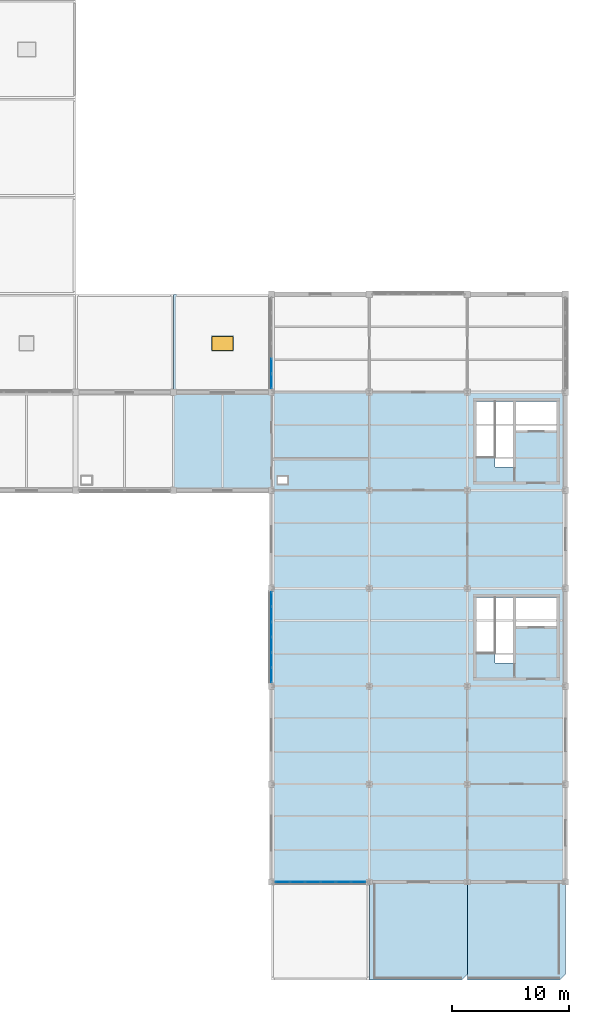
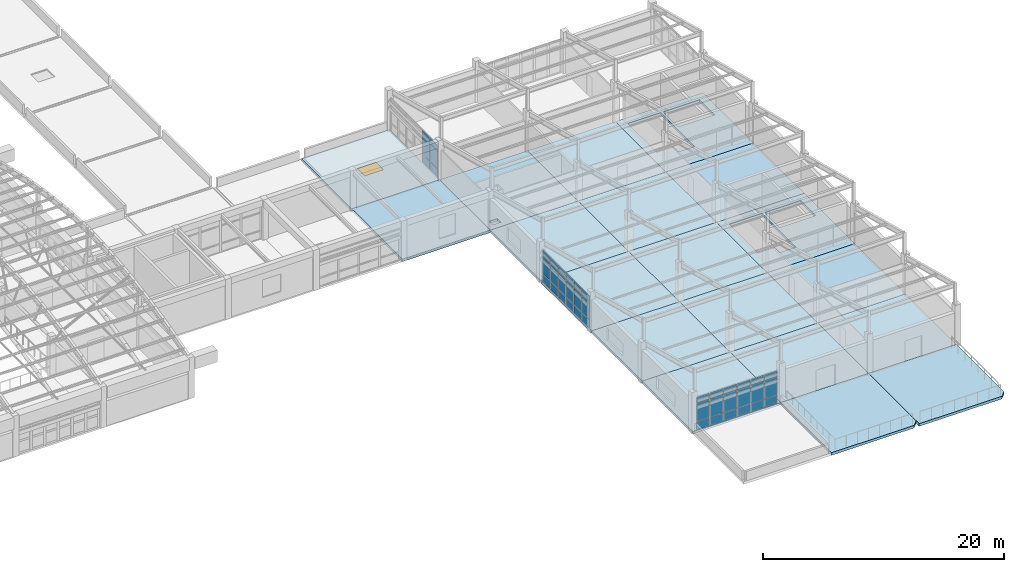
# One storey, part 57 of 74: 42 plates, 19 slabs, 1 window, 1 opening, 3 elements without a shape of their own.
"""IFC4 building model written with IfcOpenShell, lengths in metres."""

import ifcopenshell
import ifcopenshell.guid

model = None  # the IFC model being written
_history = None  # IfcOwnerHistory: only IFC2X3 demands one
_inside = {}  # id of a spatial element -> (the spatial element, [elements in it])
_under = {}  # id of a project, library or spatial element -> (it, [spatial elements below it])
_declared = {}  # id of a project -> (the project, [libraries it declares])
_typed = {}  # id of a type object -> (the type object, [elements of that type])
_made_of = {}  # id of a material, layer set ... -> (it, [elements and type objects made of it])


def new_model(schema):
    """Start an empty IFC model of exactly this schema.

    Asked for "IFC4X3", IfcOpenShell would pick the latest addendum, in which some entities
    have other attributes; the version numbers below select the first issue.
    IFC2X3 requires an IfcOwnerHistory on every rooted entity: one is made here for all.
    """
    global model, _history
    if schema == "IFC4X3":
        model = ifcopenshell.file(schema_version=(4, 3, 0, 0))
    else:
        model = ifcopenshell.file(schema=schema)
    _inside.clear()
    _under.clear()
    _declared.clear()
    _typed.clear()
    _made_of.clear()
    _history = None
    if model.schema == "IFC2X3":
        org = make("IfcOrganization", Name="unknown")
        user = make(
            "IfcPersonAndOrganization",
            ThePerson=make("IfcPerson", FamilyName="unknown"),
            TheOrganization=org,
        )
        app = make(
            "IfcApplication",
            ApplicationDeveloper=org,
            Version="unknown",
            ApplicationFullName="unknown",
            ApplicationIdentifier="unknown",
        )
        _history = make(
            "IfcOwnerHistory",
            OwningUser=user,
            OwningApplication=app,
            ChangeAction="ADDED",
            CreationDate=0,
        )
    return model


def make(cls, **values):
    """One entity of the class cls with the attributes given. An attribute that is None is left unset."""
    return model.create_entity(
        cls, **{name: value for name, value in values.items() if value is not None}
    )


def rooted(cls, **values):
    """An entity with a GlobalId (a new one), such as an element, a storey or a relation."""
    return make(cls, GlobalId=ifcopenshell.guid.new(), OwnerHistory=_history, **values)


def si_unit(unit_type, name, prefix=None):
    """IfcSIUnit, for example si_unit("LENGTHUNIT", "METRE", prefix="MILLI")."""
    return make("IfcSIUnit", UnitType=unit_type, Prefix=prefix, Name=name)


def assignment(units):
    """IfcUnitAssignment: the units of a project."""
    return None if units is None else make("IfcUnitAssignment", Units=units)


def point(xyz):
    """IfcCartesianPoint."""
    return None if xyz is None else make("IfcCartesianPoint", Coordinates=xyz)


def direction(xyz):
    """IfcDirection."""
    return None if xyz is None else make("IfcDirection", DirectionRatios=xyz)


def frame(location, z_axis=None, x_axis=None):
    """IfcAxis2Placement3D, a coordinate frame: its origin and axes. An axis left out is left unset."""
    return make(
        "IfcAxis2Placement3D",
        Location=point(location),
        Axis=direction(z_axis),
        RefDirection=direction(x_axis),
    )


def frame_2d(location, x_axis=None):
    """IfcAxis2Placement2D, a coordinate frame in the plane: its origin and x axis."""
    return make(
        "IfcAxis2Placement2D", Location=point(location), RefDirection=direction(x_axis)
    )


def origin():
    """The frame at (0, 0, 0) with its axes left unset."""
    return frame((0.0, 0.0, 0.0))


def origin_2d():
    """The frame at (0, 0) in the plane with its x axis left unset."""
    return frame_2d((0.0, 0.0))


def place(relative_to, where):
    """IfcLocalPlacement: puts the frame where relative to a parent placement (None: the world)."""
    return make(
        "IfcLocalPlacement", PlacementRelTo=relative_to, RelativePlacement=where
    )


def context(
    kind, dimensions, precision=None, world=None, true_north=None, identifier=None
):
    """IfcGeometricRepresentationContext, for example the 3D "Model" context."""
    return make(
        "IfcGeometricRepresentationContext",
        ContextIdentifier=identifier,
        ContextType=kind,
        CoordinateSpaceDimension=dimensions,
        Precision=precision,
        WorldCoordinateSystem=world,
        TrueNorth=true_north,
    )


def subcontext(parent, identifier, kind, view, scale=None):
    """IfcGeometricRepresentationSubContext, for example "Body" below "Model"."""
    return make(
        "IfcGeometricRepresentationSubContext",
        ContextIdentifier=identifier,
        ContextType=kind,
        ParentContext=parent,
        TargetScale=scale,
        TargetView=view,
    )


def project(units=None, contexts=None):
    """IfcProject with its units and contexts."""
    return rooted(
        "IfcProject",
        Name="project",
        RepresentationContexts=contexts,
        UnitsInContext=assignment(units),
    )


def spatial(cls, under=None, at=None, **own):
    """A site, building, storey or space (cls), placed at a placement, below another one or the project."""
    s = rooted(cls, ObjectPlacement=at, **own)
    if under is not None:
        _under.setdefault(under.id(), (under, []))[1].append(s)
    return s


def polyline(points):
    """IfcPolyline through the points."""
    return make("IfcPolyline", Points=[point(p) for p in points])


def profile(cls, at=None, kind="AREA", **sizes):
    """A parametric profile (cls). Its sizes go by their IFC names, for example OverallWidth=200.0."""
    return make(cls, ProfileType=kind, Position=at, **sizes)


def rectangle(**sizes):
    """IfcRectangleProfileDef."""
    return profile("IfcRectangleProfileDef", **sizes)


def outline(outer, holes=None, kind="AREA"):
    """IfcArbitraryClosedProfileDef: a profile drawn as a closed curve; with holes, ...WithVoids."""
    if holes is None:
        return make("IfcArbitraryClosedProfileDef", ProfileType=kind, OuterCurve=outer)
    return make(
        "IfcArbitraryProfileDefWithVoids",
        ProfileType=kind,
        OuterCurve=outer,
        InnerCurves=holes,
    )


def extrude(swept, where, along, depth):
    """IfcExtrudedAreaSolid: the profile swept, set in the frame where, extruded along a direction by depth."""
    return make(
        "IfcExtrudedAreaSolid",
        SweptArea=swept,
        Position=where,
        ExtrudedDirection=direction(along),
        Depth=depth,
    )


def shape(context_of_items, identifier, shape_type, items):
    """IfcShapeRepresentation: the items that make up one representation, for example the "Body"."""
    return make(
        "IfcShapeRepresentation",
        ContextOfItems=context_of_items,
        RepresentationIdentifier=identifier,
        RepresentationType=shape_type,
        Items=items,
    )


def material(Name=None, Category=None):
    """IfcMaterial."""
    return make("IfcMaterial", Name=Name, Category=Category)


def layer(
    of_material, thickness, ventilated=None, Name=None, Category=None, Priority=None
):
    """IfcMaterialLayer: one layer of a wall or slab, of a material (None: an air gap)."""
    return make(
        "IfcMaterialLayer",
        Material=of_material,
        LayerThickness=thickness,
        IsVentilated=ventilated,
        Name=Name,
        Category=Category,
        Priority=Priority,
    )


def layer_set(layers, Name=None):
    """IfcMaterialLayerSet."""
    return make("IfcMaterialLayerSet", MaterialLayers=layers, LayerSetName=Name)


def made_of(thing, what):
    """Note that an element or type object is made of a material, layer set ...; save() writes the relation."""
    if what is not None:
        _made_of.setdefault(what.id(), (what, []))[1].append(thing)
    return thing


def type_object(cls, material=None, **own):
    """A type object (cls), such as IfcWallType, which elements share."""
    return made_of(rooted(cls, **own), material)


def element(
    cls,
    number,
    at=None,
    inside=None,
    cuts=None,
    type_object=None,
    material=None,
    context=None,
    identifier="Body",
    shape_type=None,
    held_by="IfcProductDefinitionShape",
    body=None,
    shapes=None,
    **own,
):
    """One element of the class cls, such as IfcWall. Its Tag is "e" and its number.

    at: its placement. inside: the storey or other place that contains it. cuts: it is an
    opening in that element (IfcRelVoidsElement). A single representation is given by context,
    identifier, shape_type and body (its items); several are given by shapes. held_by: the class
    of the entity that holds the representations. save() writes the other relations.
    """
    e = rooted(cls, Tag="e%d" % number, ObjectPlacement=at, **own)
    if body is not None:
        shapes = [shape(context, identifier, shape_type, body)]
    if shapes is not None:
        e.Representation = make(held_by, Representations=shapes)
    if inside is not None:
        _inside.setdefault(inside.id(), (inside, []))[1].append(e)
    if cuts is not None:
        rooted(
            "IfcRelVoidsElement", RelatingBuildingElement=cuts, RelatedOpeningElement=e
        )
    if type_object is not None:
        _typed.setdefault(type_object.id(), (type_object, []))[1].append(e)
    return made_of(e, material)


def fill(opening, filler):
    """IfcRelFillsElement: the door or window that sits in an opening."""
    return rooted(
        "IfcRelFillsElement",
        RelatingOpeningElement=opening,
        RelatedBuildingElement=filler,
    )


def aggregate(whole, parts):
    """IfcRelAggregates: a whole, such as a stair, and the parts it consists of."""
    return rooted("IfcRelAggregates", RelatingObject=whole, RelatedObjects=parts)


def save(model, path):
    """Write the relations noted so far, then the file.

    IfcRelAggregates (storeys below a building ...), IfcRelContainedInSpatialStructure (elements
    in a storey), IfcRelDefinesByType, IfcRelAssociatesMaterial and IfcRelDeclares: one each for
    every whole, place, type object, material and project.
    """
    for whole, parts in _under.values():
        aggregate(whole, parts)
    for where, things in _inside.values():
        rooted(
            "IfcRelContainedInSpatialStructure",
            RelatedElements=things,
            RelatingStructure=where,
        )
    for kind, things in _typed.values():
        rooted("IfcRelDefinesByType", RelatedObjects=things, RelatingType=kind)
    for what, things in _made_of.values():
        rooted("IfcRelAssociatesMaterial", RelatedObjects=things, RelatingMaterial=what)
    for by, libraries in _declared.values():
        rooted("IfcRelDeclares", RelatingContext=by, RelatedDefinitions=libraries)
    model.write(path)


model = new_model("IFC4")

# Units and contexts
model_context = context("Model", 3, precision=1e-05, world=origin(), true_north=direction((0.0, 1.0)))
body_context = subcontext(model_context, "Body", "Model", "MODEL_VIEW")
ifc_project = project(units=[si_unit("LENGTHUNIT", "METRE"), si_unit("AREAUNIT", "SQUARE_METRE"), si_unit("VOLUMEUNIT", "CUBIC_METRE"), si_unit("PLANEANGLEUNIT", "RADIAN"), si_unit("MASSUNIT", "GRAM", prefix="KILO")], contexts=[model_context])

# Site, building, storey
site_placement = place(None, origin())
site = spatial("IfcSite", under=ifc_project, at=site_placement, CompositionType="ELEMENT")
building_placement = place(site_placement, origin())
building = spatial("IfcBuilding", under=site, at=building_placement, Name="Porcellanite Civic Hall", CompositionType="ELEMENT")
storey_placement = place(building_placement, frame((0.0, 0.0, 14.760009765625)))
storey = spatial("IfcBuildingStorey", under=building, at=storey_placement, Name="L03", CompositionType="ELEMENT", Elevation=14.760009765625)

# Curtain wall, plates
ifc_material_1 = material(Name="Anodised aluminium and solar laminated glass", Category="aluminium")
ifc_layer_1 = layer(ifc_material_1, 0.179931640625)
ifc_layer_set_1 = layer_set([ifc_layer_1], Name="Anodised aluminium and solar laminated glass")
curtain_wall_type = type_object("IfcCurtainWallType", Name="CW-SYS02", PredefinedType="NOTDEFINED", material=ifc_layer_set_1)
curtain_wall_1_placement = place(storey_placement, origin())
curtain_wall_1 = element("IfcCurtainWall", 1, at=curtain_wall_1_placement, inside=storey, type_object=curtain_wall_type, Name="Curtain wall CW-221", PredefinedType="NOTDEFINED")
ifc_material_2 = material(Name="Cyclone laminated solar-control low-E glass", Category="glass")
ifc_layer_2 = layer(ifc_material_2, 0.02587890625)
ifc_layer_set_2 = layer_set([ifc_layer_2], Name="Cyclone laminated solar-control low-E glass")
plate_type = type_object("IfcPlateType", Name="CWP-02", PredefinedType="CURTAIN_PANEL", material=ifc_layer_set_2)
plate_1_placement = place(storey_placement, frame((150.251220703125, 16.800048828125, 0.06494140625), z_axis=(0.0, 0.0, 1.0), x_axis=(-1.0, 0.0, 0.0)))
plate_1 = element("IfcPlate", 2, at=plate_1_placement, type_object=plate_type, Name="CW-221 panel 1.1", PredefinedType="CURTAIN_PANEL", context=body_context, shape_type="SweptSolid", body=[
    extrude(rectangle(XDim=1.195556640625, YDim=0.02587890625, at=origin_2d()), origin(), (0.0, 0.0, 1.0), 0.802490234375),
])
plate_2_placement = place(storey_placement, frame((150.251220703125, 16.800048828125, 0.9326171875), z_axis=(0.0, 0.0, 1.0), x_axis=(-1.0, 0.0, 0.0)))
plate_2 = element("IfcPlate", 3, at=plate_2_placement, type_object=plate_type, Name="CW-221 panel 1.2", PredefinedType="CURTAIN_PANEL", context=body_context, shape_type="SweptSolid", body=[
    extrude(rectangle(XDim=1.195556640625, YDim=0.02587890625, at=origin_2d()), origin(), (0.0, 0.0, 1.0), 1.7548828125),
])
plate_3_placement = place(storey_placement, frame((150.251220703125, 16.800048828125, 2.75244140625), z_axis=(0.0, 0.0, 1.0), x_axis=(-1.0, 0.0, 0.0)))
plate_3 = element("IfcPlate", 4, at=plate_3_placement, type_object=plate_type, Name="CW-221 panel 1.3", PredefinedType="CURTAIN_PANEL", context=body_context, shape_type="SweptSolid", body=[
    extrude(rectangle(XDim=1.195556640625, YDim=0.02587890625, at=origin_2d()), origin(), (0.0, 0.0, 1.0), 0.552490234375),
])
plate_4_placement = place(storey_placement, frame((148.9619140625, 16.800048828125, 0.06494140625), z_axis=(0.0, 0.0, 1.0), x_axis=(-1.0, 0.0, 0.0)))
plate_4 = element("IfcPlate", 5, at=plate_4_placement, type_object=plate_type, Name="CW-221 panel 2.1", PredefinedType="CURTAIN_PANEL", context=body_context, shape_type="SweptSolid", body=[
    extrude(rectangle(XDim=1.23291015625, YDim=0.02587890625, at=origin_2d()), origin(), (0.0, 0.0, 1.0), 0.802490234375),
])
plate_5_placement = place(storey_placement, frame((148.9619140625, 16.800048828125, 0.9326171875), z_axis=(0.0, 0.0, 1.0), x_axis=(-1.0, 0.0, 0.0)))
plate_5 = element("IfcPlate", 6, at=plate_5_placement, type_object=plate_type, Name="CW-221 panel 2.2", PredefinedType="CURTAIN_PANEL", context=body_context, shape_type="SweptSolid", body=[
    extrude(rectangle(XDim=1.23291015625, YDim=0.02587890625, at=origin_2d()), origin(), (0.0, 0.0, 1.0), 1.7548828125),
])
plate_6_placement = place(storey_placement, frame((148.9619140625, 16.800048828125, 2.75244140625), z_axis=(0.0, 0.0, 1.0), x_axis=(-1.0, 0.0, 0.0)))
plate_6 = element("IfcPlate", 7, at=plate_6_placement, type_object=plate_type, Name="CW-221 panel 2.3", PredefinedType="CURTAIN_PANEL", context=body_context, shape_type="SweptSolid", body=[
    extrude(rectangle(XDim=1.23291015625, YDim=0.02587890625, at=origin_2d()), origin(), (0.0, 0.0, 1.0), 0.552490234375),
])
plate_7_placement = place(storey_placement, frame((147.654052734375, 16.800048828125, 0.06494140625), z_axis=(0.0, 0.0, 1.0), x_axis=(-1.0, 0.0, 0.0)))
plate_7 = element("IfcPlate", 8, at=plate_7_placement, type_object=plate_type, Name="CW-221 panel 3.1", PredefinedType="CURTAIN_PANEL", context=body_context, shape_type="SweptSolid", body=[
    extrude(rectangle(XDim=1.23291015625, YDim=0.02587890625, at=origin_2d()), origin(), (0.0, 0.0, 1.0), 0.802490234375),
])
plate_8_placement = place(storey_placement, frame((147.654052734375, 16.800048828125, 0.9326171875), z_axis=(0.0, 0.0, 1.0), x_axis=(-1.0, 0.0, 0.0)))
plate_8 = element("IfcPlate", 9, at=plate_8_placement, type_object=plate_type, Name="CW-221 panel 3.2", PredefinedType="CURTAIN_PANEL", context=body_context, shape_type="SweptSolid", body=[
    extrude(rectangle(XDim=1.23291015625, YDim=0.02587890625, at=origin_2d()), origin(), (0.0, 0.0, 1.0), 1.7548828125),
])
plate_9_placement = place(storey_placement, frame((147.654052734375, 16.800048828125, 2.75244140625), z_axis=(0.0, 0.0, 1.0), x_axis=(-1.0, 0.0, 0.0)))
plate_9 = element("IfcPlate", 10, at=plate_9_placement, type_object=plate_type, Name="CW-221 panel 3.3", PredefinedType="CURTAIN_PANEL", context=body_context, shape_type="SweptSolid", body=[
    extrude(rectangle(XDim=1.23291015625, YDim=0.02587890625, at=origin_2d()), origin(), (0.0, 0.0, 1.0), 0.552490234375),
])
plate_10_placement = place(storey_placement, frame((146.345947265625, 16.800048828125, 0.06494140625), z_axis=(0.0, 0.0, 1.0), x_axis=(-1.0, 0.0, 0.0)))
plate_10 = element("IfcPlate", 11, at=plate_10_placement, type_object=plate_type, Name="CW-221 panel 4.1", PredefinedType="CURTAIN_PANEL", context=body_context, shape_type="SweptSolid", body=[
    extrude(rectangle(XDim=1.23291015625, YDim=0.02587890625, at=origin_2d()), origin(), (0.0, 0.0, 1.0), 0.802490234375),
])
plate_11_placement = place(storey_placement, frame((146.345947265625, 16.800048828125, 0.9326171875), z_axis=(0.0, 0.0, 1.0), x_axis=(-1.0, 0.0, 0.0)))
plate_11 = element("IfcPlate", 12, at=plate_11_placement, type_object=plate_type, Name="CW-221 panel 4.2", PredefinedType="CURTAIN_PANEL", context=body_context, shape_type="SweptSolid", body=[
    extrude(rectangle(XDim=1.23291015625, YDim=0.02587890625, at=origin_2d()), origin(), (0.0, 0.0, 1.0), 1.7548828125),
])
plate_12_placement = place(storey_placement, frame((146.345947265625, 16.800048828125, 2.75244140625), z_axis=(0.0, 0.0, 1.0), x_axis=(-1.0, 0.0, 0.0)))
plate_12 = element("IfcPlate", 13, at=plate_12_placement, type_object=plate_type, Name="CW-221 panel 4.3", PredefinedType="CURTAIN_PANEL", context=body_context, shape_type="SweptSolid", body=[
    extrude(rectangle(XDim=1.23291015625, YDim=0.02587890625, at=origin_2d()), origin(), (0.0, 0.0, 1.0), 0.552490234375),
])
plate_13_placement = place(storey_placement, frame((145.0380859375, 16.800048828125, 0.06494140625), z_axis=(0.0, 0.0, 1.0), x_axis=(-1.0, 0.0, 0.0)))
plate_13 = element("IfcPlate", 14, at=plate_13_placement, type_object=plate_type, Name="CW-221 panel 5.1", PredefinedType="CURTAIN_PANEL", context=body_context, shape_type="SweptSolid", body=[
    extrude(rectangle(XDim=1.23291015625, YDim=0.02587890625, at=origin_2d()), origin(), (0.0, 0.0, 1.0), 0.802490234375),
])
plate_14_placement = place(storey_placement, frame((145.0380859375, 16.800048828125, 0.9326171875), z_axis=(0.0, 0.0, 1.0), x_axis=(-1.0, 0.0, 0.0)))
plate_14 = element("IfcPlate", 15, at=plate_14_placement, type_object=plate_type, Name="CW-221 panel 5.2", PredefinedType="CURTAIN_PANEL", context=body_context, shape_type="SweptSolid", body=[
    extrude(rectangle(XDim=1.23291015625, YDim=0.02587890625, at=origin_2d()), origin(), (0.0, 0.0, 1.0), 1.7548828125),
])
plate_15_placement = place(storey_placement, frame((145.0380859375, 16.800048828125, 2.75244140625), z_axis=(0.0, 0.0, 1.0), x_axis=(-1.0, 0.0, 0.0)))
plate_15 = element("IfcPlate", 16, at=plate_15_placement, type_object=plate_type, Name="CW-221 panel 5.3", PredefinedType="CURTAIN_PANEL", context=body_context, shape_type="SweptSolid", body=[
    extrude(rectangle(XDim=1.23291015625, YDim=0.02587890625, at=origin_2d()), origin(), (0.0, 0.0, 1.0), 0.552490234375),
])
plate_16_placement = place(storey_placement, frame((143.748779296875, 16.800048828125, 0.06494140625), z_axis=(0.0, 0.0, 1.0), x_axis=(-1.0, 0.0, 0.0)))
plate_16 = element("IfcPlate", 17, at=plate_16_placement, type_object=plate_type, Name="CW-221 panel 6.1", PredefinedType="CURTAIN_PANEL", context=body_context, shape_type="SweptSolid", body=[
    extrude(rectangle(XDim=1.195556640625, YDim=0.02587890625, at=origin_2d()), origin(), (0.0, 0.0, 1.0), 0.802490234375),
])
plate_17_placement = place(storey_placement, frame((143.748779296875, 16.800048828125, 0.9326171875), z_axis=(0.0, 0.0, 1.0), x_axis=(-1.0, 0.0, 0.0)))
plate_17 = element("IfcPlate", 18, at=plate_17_placement, type_object=plate_type, Name="CW-221 panel 6.2", PredefinedType="CURTAIN_PANEL", context=body_context, shape_type="SweptSolid", body=[
    extrude(rectangle(XDim=1.195556640625, YDim=0.02587890625, at=origin_2d()), origin(), (0.0, 0.0, 1.0), 1.7548828125),
])
plate_18_placement = place(storey_placement, frame((143.748779296875, 16.800048828125, 2.75244140625), z_axis=(0.0, 0.0, 1.0), x_axis=(-1.0, 0.0, 0.0)))
plate_18 = element("IfcPlate", 19, at=plate_18_placement, type_object=plate_type, Name="CW-221 panel 6.3", PredefinedType="CURTAIN_PANEL", context=body_context, shape_type="SweptSolid", body=[
    extrude(rectangle(XDim=1.195556640625, YDim=0.02587890625, at=origin_2d()), origin(), (0.0, 0.0, 1.0), 0.552490234375),
])
aggregate(curtain_wall_1, [plate_1, plate_2, plate_3, plate_4, plate_5, plate_6, plate_7, plate_8, plate_9, plate_10, plate_11, plate_12, plate_13, plate_14, plate_15, plate_16, plate_17, plate_18])

curtain_wall_2_placement = place(storey_placement, origin())
curtain_wall_2 = element("IfcCurtainWall", 20, at=curtain_wall_2_placement, inside=storey, type_object=curtain_wall_type, Name="Curtain wall CW-222", PredefinedType="NOTDEFINED")
plate_19_placement = place(storey_placement, frame((142.800048828125, 34.548828125, 0.06494140625), z_axis=(0.0, 0.0, 1.0), x_axis=(0.0, 1.0, 0.0)))
plate_19 = element("IfcPlate", 21, at=plate_19_placement, type_object=plate_type, Name="CW-222 panel 1.1", PredefinedType="CURTAIN_PANEL", context=body_context, shape_type="SweptSolid", body=[
    extrude(rectangle(XDim=1.195556640625, YDim=0.02587890625, at=origin_2d()), origin(), (0.0, 0.0, 1.0), 0.802490234375),
])
plate_20_placement = place(storey_placement, frame((142.800048828125, 34.548828125, 0.9326171875), z_axis=(0.0, 0.0, 1.0), x_axis=(0.0, 1.0, 0.0)))
plate_20 = element("IfcPlate", 22, at=plate_20_placement, type_object=plate_type, Name="CW-222 panel 1.2", PredefinedType="CURTAIN_PANEL", context=body_context, shape_type="SweptSolid", body=[
    extrude(rectangle(XDim=1.195556640625, YDim=0.02587890625, at=origin_2d()), origin(), (0.0, 0.0, 1.0), 1.7548828125),
])
plate_21_placement = place(storey_placement, frame((142.800048828125, 34.548828125, 2.75244140625), z_axis=(0.0, 0.0, 1.0), x_axis=(0.0, 1.0, 0.0)))
plate_21 = element("IfcPlate", 23, at=plate_21_placement, type_object=plate_type, Name="CW-222 panel 1.3", PredefinedType="CURTAIN_PANEL", context=body_context, shape_type="SweptSolid", body=[
    extrude(rectangle(XDim=1.195556640625, YDim=0.02587890625, at=origin_2d()), origin(), (0.0, 0.0, 1.0), 0.552490234375),
])
plate_22_placement = place(storey_placement, frame((142.800048828125, 35.837890625, 0.06494140625), z_axis=(0.0, 0.0, 1.0), x_axis=(0.0, 1.0, 0.0)))
plate_22 = element("IfcPlate", 24, at=plate_22_placement, type_object=plate_type, Name="CW-222 panel 2.1", PredefinedType="CURTAIN_PANEL", context=body_context, shape_type="SweptSolid", body=[
    extrude(rectangle(XDim=1.23291015625, YDim=0.02587890625, at=origin_2d()), origin(), (0.0, 0.0, 1.0), 0.802490234375),
])
plate_23_placement = place(storey_placement, frame((142.800048828125, 35.837890625, 0.9326171875), z_axis=(0.0, 0.0, 1.0), x_axis=(0.0, 1.0, 0.0)))
plate_23 = element("IfcPlate", 25, at=plate_23_placement, type_object=plate_type, Name="CW-222 panel 2.2", PredefinedType="CURTAIN_PANEL", context=body_context, shape_type="SweptSolid", body=[
    extrude(rectangle(XDim=1.23291015625, YDim=0.02587890625, at=origin_2d()), origin(), (0.0, 0.0, 1.0), 1.7548828125),
])
plate_24_placement = place(storey_placement, frame((142.800048828125, 35.837890625, 2.75244140625), z_axis=(0.0, 0.0, 1.0), x_axis=(0.0, 1.0, 0.0)))
plate_24 = element("IfcPlate", 26, at=plate_24_placement, type_object=plate_type, Name="CW-222 panel 2.3", PredefinedType="CURTAIN_PANEL", context=body_context, shape_type="SweptSolid", body=[
    extrude(rectangle(XDim=1.23291015625, YDim=0.02587890625, at=origin_2d()), origin(), (0.0, 0.0, 1.0), 0.552490234375),
])
plate_25_placement = place(storey_placement, frame((142.800048828125, 37.14599609375, 0.06494140625), z_axis=(0.0, 0.0, 1.0), x_axis=(0.0, 1.0, 0.0)))
plate_25 = element("IfcPlate", 27, at=plate_25_placement, type_object=plate_type, Name="CW-222 panel 3.1", PredefinedType="CURTAIN_PANEL", context=body_context, shape_type="SweptSolid", body=[
    extrude(rectangle(XDim=1.23291015625, YDim=0.02587890625, at=origin_2d()), origin(), (0.0, 0.0, 1.0), 0.802490234375),
])
plate_26_placement = place(storey_placement, frame((142.800048828125, 37.14599609375, 0.9326171875), z_axis=(0.0, 0.0, 1.0), x_axis=(0.0, 1.0, 0.0)))
plate_26 = element("IfcPlate", 28, at=plate_26_placement, type_object=plate_type, Name="CW-222 panel 3.2", PredefinedType="CURTAIN_PANEL", context=body_context, shape_type="SweptSolid", body=[
    extrude(rectangle(XDim=1.23291015625, YDim=0.02587890625, at=origin_2d()), origin(), (0.0, 0.0, 1.0), 1.7548828125),
])
plate_27_placement = place(storey_placement, frame((142.800048828125, 37.14599609375, 2.75244140625), z_axis=(0.0, 0.0, 1.0), x_axis=(0.0, 1.0, 0.0)))
plate_27 = element("IfcPlate", 29, at=plate_27_placement, type_object=plate_type, Name="CW-222 panel 3.3", PredefinedType="CURTAIN_PANEL", context=body_context, shape_type="SweptSolid", body=[
    extrude(rectangle(XDim=1.23291015625, YDim=0.02587890625, at=origin_2d()), origin(), (0.0, 0.0, 1.0), 0.552490234375),
])
plate_28_placement = place(storey_placement, frame((142.800048828125, 38.4541015625, 0.06494140625), z_axis=(0.0, 0.0, 1.0), x_axis=(0.0, 1.0, 0.0)))
plate_28 = element("IfcPlate", 30, at=plate_28_placement, type_object=plate_type, Name="CW-222 panel 4.1", PredefinedType="CURTAIN_PANEL", context=body_context, shape_type="SweptSolid", body=[
    extrude(rectangle(XDim=1.23291015625, YDim=0.02587890625, at=origin_2d()), origin(), (0.0, 0.0, 1.0), 0.802490234375),
])
plate_29_placement = place(storey_placement, frame((142.800048828125, 38.4541015625, 0.9326171875), z_axis=(0.0, 0.0, 1.0), x_axis=(0.0, 1.0, 0.0)))
plate_29 = element("IfcPlate", 31, at=plate_29_placement, type_object=plate_type, Name="CW-222 panel 4.2", PredefinedType="CURTAIN_PANEL", context=body_context, shape_type="SweptSolid", body=[
    extrude(rectangle(XDim=1.23291015625, YDim=0.02587890625, at=origin_2d()), origin(), (0.0, 0.0, 1.0), 1.7548828125),
])
plate_30_placement = place(storey_placement, frame((142.800048828125, 38.4541015625, 2.75244140625), z_axis=(0.0, 0.0, 1.0), x_axis=(0.0, 1.0, 0.0)))
plate_30 = element("IfcPlate", 32, at=plate_30_placement, type_object=plate_type, Name="CW-222 panel 4.3", PredefinedType="CURTAIN_PANEL", context=body_context, shape_type="SweptSolid", body=[
    extrude(rectangle(XDim=1.23291015625, YDim=0.02587890625, at=origin_2d()), origin(), (0.0, 0.0, 1.0), 0.552490234375),
])
plate_31_placement = place(storey_placement, frame((142.800048828125, 39.761962890625, 0.06494140625), z_axis=(0.0, 0.0, 1.0), x_axis=(0.0, 1.0, 0.0)))
plate_31 = element("IfcPlate", 33, at=plate_31_placement, type_object=plate_type, Name="CW-222 panel 5.1", PredefinedType="CURTAIN_PANEL", context=body_context, shape_type="SweptSolid", body=[
    extrude(rectangle(XDim=1.23291015625, YDim=0.02587890625, at=origin_2d()), origin(), (0.0, 0.0, 1.0), 0.802490234375),
])
plate_32_placement = place(storey_placement, frame((142.800048828125, 39.761962890625, 0.9326171875), z_axis=(0.0, 0.0, 1.0), x_axis=(0.0, 1.0, 0.0)))
plate_32 = element("IfcPlate", 34, at=plate_32_placement, type_object=plate_type, Name="CW-222 panel 5.2", PredefinedType="CURTAIN_PANEL", context=body_context, shape_type="SweptSolid", body=[
    extrude(rectangle(XDim=1.23291015625, YDim=0.02587890625, at=origin_2d()), origin(), (0.0, 0.0, 1.0), 1.7548828125),
])
plate_33_placement = place(storey_placement, frame((142.800048828125, 39.761962890625, 2.75244140625), z_axis=(0.0, 0.0, 1.0), x_axis=(0.0, 1.0, 0.0)))
plate_33 = element("IfcPlate", 35, at=plate_33_placement, type_object=plate_type, Name="CW-222 panel 5.3", PredefinedType="CURTAIN_PANEL", context=body_context, shape_type="SweptSolid", body=[
    extrude(rectangle(XDim=1.23291015625, YDim=0.02587890625, at=origin_2d()), origin(), (0.0, 0.0, 1.0), 0.552490234375),
])
plate_34_placement = place(storey_placement, frame((142.800048828125, 41.05126953125, 0.06494140625), z_axis=(0.0, 0.0, 1.0), x_axis=(0.0, 1.0, 0.0)))
plate_34 = element("IfcPlate", 36, at=plate_34_placement, type_object=plate_type, Name="CW-222 panel 6.1", PredefinedType="CURTAIN_PANEL", context=body_context, shape_type="SweptSolid", body=[
    extrude(rectangle(XDim=1.195556640625, YDim=0.02587890625, at=origin_2d()), origin(), (0.0, 0.0, 1.0), 0.802490234375),
])
plate_35_placement = place(storey_placement, frame((142.800048828125, 41.05126953125, 0.9326171875), z_axis=(0.0, 0.0, 1.0), x_axis=(0.0, 1.0, 0.0)))
plate_35 = element("IfcPlate", 37, at=plate_35_placement, type_object=plate_type, Name="CW-222 panel 6.2", PredefinedType="CURTAIN_PANEL", context=body_context, shape_type="SweptSolid", body=[
    extrude(rectangle(XDim=1.195556640625, YDim=0.02587890625, at=origin_2d()), origin(), (0.0, 0.0, 1.0), 1.7548828125),
])
plate_36_placement = place(storey_placement, frame((142.800048828125, 41.05126953125, 2.75244140625), z_axis=(0.0, 0.0, 1.0), x_axis=(0.0, 1.0, 0.0)))
plate_36 = element("IfcPlate", 38, at=plate_36_placement, type_object=plate_type, Name="CW-222 panel 6.3", PredefinedType="CURTAIN_PANEL", context=body_context, shape_type="SweptSolid", body=[
    extrude(rectangle(XDim=1.195556640625, YDim=0.02587890625, at=origin_2d()), origin(), (0.0, 0.0, 1.0), 0.552490234375),
])
aggregate(curtain_wall_2, [plate_19, plate_20, plate_21, plate_22, plate_23, plate_24, plate_25, plate_26, plate_27, plate_28, plate_29, plate_30, plate_31, plate_32, plate_33, plate_34, plate_35, plate_36])

curtain_wall_3_placement = place(storey_placement, origin())
curtain_wall_3 = element("IfcCurtainWall", 39, at=curtain_wall_3_placement, inside=storey, type_object=curtain_wall_type, Name="Curtain wall CW-223", PredefinedType="NOTDEFINED")
plate_37_placement = place(storey_placement, frame((142.800048828125, 59.748779296875, 0.06494140625), z_axis=(0.0, 0.0, 1.0), x_axis=(0.0, 1.0, 0.0)))
plate_37 = element("IfcPlate", 40, at=plate_37_placement, type_object=plate_type, Name="CW-223 panel 1.1", PredefinedType="CURTAIN_PANEL", context=body_context, shape_type="SweptSolid", body=[
    extrude(rectangle(XDim=1.195556640625, YDim=0.02587890625, at=origin_2d()), origin(), (0.0, 0.0, 1.0), 0.802490234375),
])
plate_38_placement = place(storey_placement, frame((142.800048828125, 59.748779296875, 0.9326171875), z_axis=(0.0, 0.0, 1.0), x_axis=(0.0, 1.0, 0.0)))
plate_38 = element("IfcPlate", 41, at=plate_38_placement, type_object=plate_type, Name="CW-223 panel 1.2", PredefinedType="CURTAIN_PANEL", context=body_context, shape_type="SweptSolid", body=[
    extrude(rectangle(XDim=1.195556640625, YDim=0.02587890625, at=origin_2d()), origin(), (0.0, 0.0, 1.0), 1.7548828125),
])
plate_39_placement = place(storey_placement, frame((142.800048828125, 59.748779296875, 2.75244140625), z_axis=(0.0, 0.0, 1.0), x_axis=(0.0, 1.0, 0.0)))
plate_39 = element("IfcPlate", 42, at=plate_39_placement, type_object=plate_type, Name="CW-223 panel 1.3", PredefinedType="CURTAIN_PANEL", context=body_context, shape_type="SweptSolid", body=[
    extrude(rectangle(XDim=1.195556640625, YDim=0.02587890625, at=origin_2d()), origin(), (0.0, 0.0, 1.0), 0.552490234375),
])
plate_40_placement = place(storey_placement, frame((142.800048828125, 61.0380859375, 0.06494140625), z_axis=(0.0, 0.0, 1.0), x_axis=(0.0, 1.0, 0.0)))
plate_40 = element("IfcPlate", 43, at=plate_40_placement, type_object=plate_type, Name="CW-223 panel 2.1", PredefinedType="CURTAIN_PANEL", context=body_context, shape_type="SweptSolid", body=[
    extrude(rectangle(XDim=1.23291015625, YDim=0.02587890625, at=origin_2d()), origin(), (0.0, 0.0, 1.0), 0.802490234375),
])
plate_41_placement = place(storey_placement, frame((142.800048828125, 61.0380859375, 0.9326171875), z_axis=(0.0, 0.0, 1.0), x_axis=(0.0, 1.0, 0.0)))
plate_41 = element("IfcPlate", 44, at=plate_41_placement, type_object=plate_type, Name="CW-223 panel 2.2", PredefinedType="CURTAIN_PANEL", context=body_context, shape_type="SweptSolid", body=[
    extrude(rectangle(XDim=1.23291015625, YDim=0.02587890625, at=origin_2d()), origin(), (0.0, 0.0, 1.0), 1.7548828125),
])
plate_42_placement = place(storey_placement, frame((142.800048828125, 61.0380859375, 2.75244140625), z_axis=(0.0, 0.0, 1.0), x_axis=(0.0, 1.0, 0.0)))
plate_42 = element("IfcPlate", 45, at=plate_42_placement, type_object=plate_type, Name="CW-223 panel 2.3", PredefinedType="CURTAIN_PANEL", context=body_context, shape_type="SweptSolid", body=[
    extrude(rectangle(XDim=1.23291015625, YDim=0.02587890625, at=origin_2d()), origin(), (0.0, 0.0, 1.0), 0.552490234375),
])
aggregate(curtain_wall_3, [plate_37, plate_38, plate_39, plate_40, plate_41, plate_42])

# Slabs
ifc_material_3 = material(Name="Concrete N40 (40 MPa)", Category="concrete")
ifc_layer_3 = layer(ifc_material_3, 0.25)
ifc_layer_set_3 = layer_set([ifc_layer_3], Name="Concrete N40 (40 MPa)")
slab_type_1 = type_object("IfcSlabType", Name="SL-FL250", PredefinedType="FLOOR", material=ifc_layer_set_3)
slab_1_placement = place(storey_placement, frame((0.0, 0.0, -0.25)))
element("IfcSlab", 46, at=slab_1_placement, inside=storey, type_object=slab_type_1, Name="Slab L03 bay 17-7", PredefinedType="FLOOR", context=body_context, shape_type="SweptSolid", body=[
    extrude(outline(polyline([(134.39990234375, 50.39990234375), (142.800048828125, 50.39990234375), (142.800048828125, 58.800048828125), (134.39990234375, 58.800048828125), (134.39990234375, 50.39990234375)])), origin(), (0.0, 0.0, 1.0), 0.25),
])
slab_2_placement = place(storey_placement, frame((0.0, 0.0, -0.25)))
element("IfcSlab", 47, at=slab_2_placement, inside=storey, type_object=slab_type_1, Name="Slab L03 bay 18-3", PredefinedType="FLOOR", context=body_context, shape_type="SweptSolid", body=[
    extrude(outline(polyline([(142.800048828125, 16.800048828125), (151.199951171875, 16.800048828125), (151.199951171875, 25.199951171875), (142.800048828125, 25.199951171875), (142.800048828125, 16.800048828125)])), origin(), (0.0, 0.0, 1.0), 0.25),
])
slab_3_placement = place(storey_placement, frame((0.0, 0.0, -0.25)))
element("IfcSlab", 48, at=slab_3_placement, inside=storey, type_object=slab_type_1, Name="Slab L03 bay 18-4", PredefinedType="FLOOR", context=body_context, shape_type="SweptSolid", body=[
    extrude(outline(polyline([(142.800048828125, 25.199951171875), (151.199951171875, 25.199951171875), (151.199951171875, 33.60009765625), (142.800048828125, 33.60009765625), (142.800048828125, 25.199951171875)])), origin(), (0.0, 0.0, 1.0), 0.25),
])
slab_4_placement = place(storey_placement, frame((0.0, 0.0, -0.25)))
element("IfcSlab", 49, at=slab_4_placement, inside=storey, type_object=slab_type_1, Name="Slab L03 bay 18-6", PredefinedType="FLOOR", context=body_context, shape_type="SweptSolid", body=[
    extrude(outline(polyline([(142.800048828125, 42.0), (151.199951171875, 42.0), (151.199951171875, 50.39990234375), (142.800048828125, 50.39990234375), (142.800048828125, 42.0)])), origin(), (0.0, 0.0, 1.0), 0.25),
])
slab_5_placement = place(storey_placement, frame((0.0, 0.0, -0.25)))
element("IfcSlab", 50, at=slab_5_placement, inside=storey, type_object=slab_type_1, Name="Slab L03 bay 18-7", PredefinedType="FLOOR", context=body_context, shape_type="SweptSolid", body=[
    extrude(outline(polyline([(142.800048828125, 50.39990234375), (151.199951171875, 50.39990234375), (151.199951171875, 58.800048828125), (142.800048828125, 58.800048828125), (142.800048828125, 50.39990234375)]), holes=[polyline([(143.35009765625, 50.949951171875), (144.14990234375, 50.949951171875), (144.14990234375, 51.550048828125), (143.35009765625, 51.550048828125), (143.35009765625, 50.949951171875)])]), origin(), (0.0, 0.0, 1.0), 0.25),
])
slab_6_placement = place(storey_placement, frame((0.0, 0.0, -0.25)))
element("IfcSlab", 51, at=slab_6_placement, inside=storey, type_object=slab_type_1, Name="Slab L03 bay 19-3", PredefinedType="FLOOR", context=body_context, shape_type="SweptSolid", body=[
    extrude(outline(polyline([(151.199951171875, 16.800048828125), (159.60009765625, 16.800048828125), (159.60009765625, 25.199951171875), (151.199951171875, 25.199951171875), (151.199951171875, 16.800048828125)])), origin(), (0.0, 0.0, 1.0), 0.25),
])
slab_7_placement = place(storey_placement, frame((0.0, 0.0, -0.25)))
element("IfcSlab", 52, at=slab_7_placement, inside=storey, type_object=slab_type_1, Name="Slab L03 bay 19-5", PredefinedType="FLOOR", context=body_context, shape_type="SweptSolid", body=[
    extrude(outline(polyline([(151.199951171875, 33.60009765625), (159.60009765625, 33.60009765625), (159.60009765625, 42.0), (151.199951171875, 42.0), (151.199951171875, 33.60009765625)])), origin(), (0.0, 0.0, 1.0), 0.25),
])
slab_8_placement = place(storey_placement, frame((0.0, 0.0, -0.25)))
element("IfcSlab", 53, at=slab_8_placement, inside=storey, type_object=slab_type_1, Name="Slab L03 bay 19-6", PredefinedType="FLOOR", context=body_context, shape_type="SweptSolid", body=[
    extrude(outline(polyline([(151.199951171875, 42.0), (159.60009765625, 42.0), (159.60009765625, 50.39990234375), (151.199951171875, 50.39990234375), (151.199951171875, 42.0)])), origin(), (0.0, 0.0, 1.0), 0.25),
])
slab_9_placement = place(storey_placement, frame((0.0, 0.0, -0.25)))
element("IfcSlab", 54, at=slab_9_placement, inside=storey, type_object=slab_type_1, Name="Slab L03 bay 20-4", PredefinedType="FLOOR", context=body_context, shape_type="SweptSolid", body=[
    extrude(outline(polyline([(159.60009765625, 25.199951171875), (168.0, 25.199951171875), (168.0, 33.60009765625), (159.60009765625, 33.60009765625), (159.60009765625, 25.199951171875)])), origin(), (0.0, 0.0, 1.0), 0.25),
])
slab_10_placement = place(storey_placement, frame((0.0, 0.0, -0.25)))
element("IfcSlab", 55, at=slab_10_placement, inside=storey, type_object=slab_type_1, Name="Slab L03 bay 20-5", PredefinedType="FLOOR", context=body_context, shape_type="SweptSolid", body=[
    extrude(outline(polyline([(159.60009765625, 33.60009765625), (168.0, 33.60009765625), (168.0, 42.0), (159.60009765625, 42.0), (159.60009765625, 33.60009765625)]), holes=[polyline([(160.3798828125, 36.449951171875), (161.9599609375, 36.449951171875), (161.9599609375, 35.60009765625), (163.52001953125, 35.60009765625), (163.52001953125, 41.219970703125), (160.3798828125, 41.219970703125), (160.3798828125, 36.449951171875)]), polyline([(163.760009765625, 38.739990234375), (167.219970703125, 38.739990234375), (167.219970703125, 41.219970703125), (163.760009765625, 41.219970703125), (163.760009765625, 38.739990234375)])]), origin(), (0.0, 0.0, 1.0), 0.25),
])
slab_11_placement = place(storey_placement, frame((0.0, 0.0, -0.25)))
element("IfcSlab", 56, at=slab_11_placement, inside=storey, type_object=slab_type_1, Name="Slab L03 bay 20-7", PredefinedType="FLOOR", context=body_context, shape_type="SweptSolid", body=[
    extrude(outline(polyline([(159.60009765625, 50.39990234375), (168.0, 50.39990234375), (168.0, 58.800048828125), (159.60009765625, 58.800048828125), (159.60009765625, 50.39990234375)]), holes=[polyline([(160.3798828125, 53.25), (161.9599609375, 53.25), (161.9599609375, 52.39990234375), (163.52001953125, 52.39990234375), (163.52001953125, 58.02001953125), (160.3798828125, 58.02001953125), (160.3798828125, 53.25)]), polyline([(163.760009765625, 55.5400390625), (167.219970703125, 55.5400390625), (167.219970703125, 58.02001953125), (163.760009765625, 58.02001953125), (163.760009765625, 55.5400390625)])]), origin(), (0.0, 0.0, 1.0), 0.25),
])
ifc_material_4 = material(Name="Concrete N40 (40 MPa)", Category="concrete")
ifc_layer_4 = layer(ifc_material_4, 0.260009765625)
ifc_layer_set_4 = layer_set([ifc_layer_4], Name="Concrete N40 (40 MPa)")
slab_type_2 = type_object("IfcSlabType", Name="SL-FL260", PredefinedType="FLOOR", material=ifc_layer_set_4)
slab_12_placement = place(storey_placement, frame((0.0, 0.0, -0.260009765625)))
element("IfcSlab", 57, at=slab_12_placement, inside=storey, type_object=slab_type_2, Name="Slab L03 bay 18-5", PredefinedType="FLOOR", context=body_context, shape_type="SweptSolid", body=[
    extrude(outline(polyline([(142.800048828125, 33.60009765625), (151.199951171875, 33.60009765625), (151.199951171875, 42.0), (142.800048828125, 42.0), (142.800048828125, 33.60009765625)])), origin(), (0.0, 0.0, 1.0), 0.260009765625),
])
slab_13_placement = place(storey_placement, frame((0.0, 0.0, -0.260009765625)))
element("IfcSlab", 58, at=slab_13_placement, inside=storey, type_object=slab_type_2, Name="Slab L03 bay 19-4", PredefinedType="FLOOR", context=body_context, shape_type="SweptSolid", body=[
    extrude(outline(polyline([(151.199951171875, 25.199951171875), (159.60009765625, 25.199951171875), (159.60009765625, 33.60009765625), (151.199951171875, 33.60009765625), (151.199951171875, 25.199951171875)])), origin(), (0.0, 0.0, 1.0), 0.260009765625),
])
slab_14_placement = place(storey_placement, frame((0.0, 0.0, -0.260009765625)))
element("IfcSlab", 59, at=slab_14_placement, inside=storey, type_object=slab_type_2, Name="Slab L03 bay 19-7", PredefinedType="FLOOR", context=body_context, shape_type="SweptSolid", body=[
    extrude(outline(polyline([(151.199951171875, 50.39990234375), (159.60009765625, 50.39990234375), (159.60009765625, 58.800048828125), (151.199951171875, 58.800048828125), (151.199951171875, 50.39990234375)])), origin(), (0.0, 0.0, 1.0), 0.260009765625),
])
slab_15_placement = place(storey_placement, frame((0.0, 0.0, -0.260009765625)))
element("IfcSlab", 60, at=slab_15_placement, inside=storey, type_object=slab_type_2, Name="Slab L03 bay 20-3", PredefinedType="FLOOR", context=body_context, shape_type="SweptSolid", body=[
    extrude(outline(polyline([(159.60009765625, 16.800048828125), (168.0, 16.800048828125), (168.0, 25.199951171875), (159.60009765625, 25.199951171875), (159.60009765625, 16.800048828125)])), origin(), (0.0, 0.0, 1.0), 0.260009765625),
])
slab_16_placement = place(storey_placement, frame((0.0, 0.0, -0.260009765625)))
element("IfcSlab", 61, at=slab_16_placement, inside=storey, type_object=slab_type_2, Name="Slab L03 bay 20-6", PredefinedType="FLOOR", context=body_context, shape_type="SweptSolid", body=[
    extrude(outline(polyline([(159.60009765625, 42.0), (168.0, 42.0), (168.0, 50.39990234375), (159.60009765625, 50.39990234375), (159.60009765625, 42.0)])), origin(), (0.0, 0.0, 1.0), 0.260009765625),
])

# Slab, opening, window
ifc_material_5 = material(Name="Concrete N40 (40 MPa)", Category="concrete")
ifc_layer_5 = layer(ifc_material_5, 0.260009765625)
ifc_layer_set_5 = layer_set([ifc_layer_5], Name="Concrete N40 (40 MPa)")
slab_type_3 = type_object("IfcSlabType", Name="SL-RF260", PredefinedType="ROOF", material=ifc_layer_set_5)
slab_17_placement = place(storey_placement, frame((0.0, 0.0, -0.260009765625)))
slab_17 = element("IfcSlab", 62, at=slab_17_placement, inside=storey, type_object=slab_type_3, Name="Roof slab L03 17-8", PredefinedType="ROOF", context=body_context, shape_type="SweptSolid", body=[
    extrude(outline(polyline([(134.39990234375, 58.800048828125), (142.800048828125, 58.800048828125), (142.800048828125, 67.199951171875), (134.39990234375, 67.199951171875), (134.39990234375, 58.800048828125)])), origin(), (0.0, 0.0, 1.0), 0.260009765625),
])
opening_placement = place(slab_17_placement, frame((138.60009765625, 63.0, 0.0)))
opening = element("IfcOpeningElement", 63, at=opening_placement, cuts=slab_17, Name="Opening SK3", PredefinedType="OPENING", context=body_context, shape_type="SweptSolid", body=[
    extrude(rectangle(XDim=1.800048828125, YDim=1.199951171875, at=origin_2d()), origin(), (0.0, 0.0, 1.0), 0.260009765625),
])
ifc_material_6 = material(Name="Cyclone laminated low-E glazing in anodised aluminium frame", Category="aluminium")
window_type = type_object("IfcWindowType", Name="SK-03", PartitioningType="DOUBLE_PANEL_VERTICAL", PredefinedType="SKYLIGHT", material=ifc_material_6)
window_placement = place(opening_placement, frame((0.0, 0.0, 0.2099609375)))
window = element("IfcWindow", 64, at=window_placement, inside=storey, type_object=window_type, Name="Roof skylight SK3 L03 17-8", OverallHeight=1.199951171875, OverallWidth=1.800048828125, PartitioningType="SINGLE_PANEL", PredefinedType="SKYLIGHT", context=body_context, shape_type="SweptSolid", body=[
    extrude(rectangle(XDim=1.800048828125, YDim=1.199951171875, at=origin_2d()), origin(), (0.0, 0.0, 1.0), 0.050048828125),
])
fill(opening, window)

# Slabs
ifc_material_7 = material(Name="Concrete N40 (40 MPa)", Category="concrete")
ifc_layer_6 = layer(ifc_material_7, 0.260009765625)
ifc_layer_set_6 = layer_set([ifc_layer_6], Name="Concrete N40 (40 MPa)")
slab_type_4 = type_object("IfcSlabType", Name="SL-TER260", PredefinedType="FLOOR", material=ifc_layer_set_6)
slab_18_placement = place(storey_placement, frame((0.0, 0.0, -0.260009765625)))
element("IfcSlab", 65, at=slab_18_placement, inside=storey, type_object=slab_type_4, Name="Civic terrace slab L03 19-2", PredefinedType="FLOOR", context=body_context, shape_type="SweptSolid", body=[
    extrude(outline(polyline([(151.199951171875, 8.39990234375), (159.10009765625, 8.39990234375), (159.60009765625, 8.89990234375), (159.60009765625, 16.800048828125), (151.199951171875, 16.800048828125), (151.199951171875, 8.39990234375)])), origin(), (0.0, 0.0, 1.0), 0.260009765625),
])
slab_19_placement = place(storey_placement, frame((0.0, 0.0, -0.260009765625)))
element("IfcSlab", 66, at=slab_19_placement, inside=storey, type_object=slab_type_4, Name="Civic terrace slab L03 20-2", PredefinedType="FLOOR", context=body_context, shape_type="SweptSolid", body=[
    extrude(outline(polyline([(159.60009765625, 8.39990234375), (167.5, 8.39990234375), (168.0, 8.89990234375), (168.0, 16.800048828125), (159.60009765625, 16.800048828125), (159.60009765625, 8.39990234375)])), origin(), (0.0, 0.0, 1.0), 0.260009765625),
])

save(model, "model.ifc")
